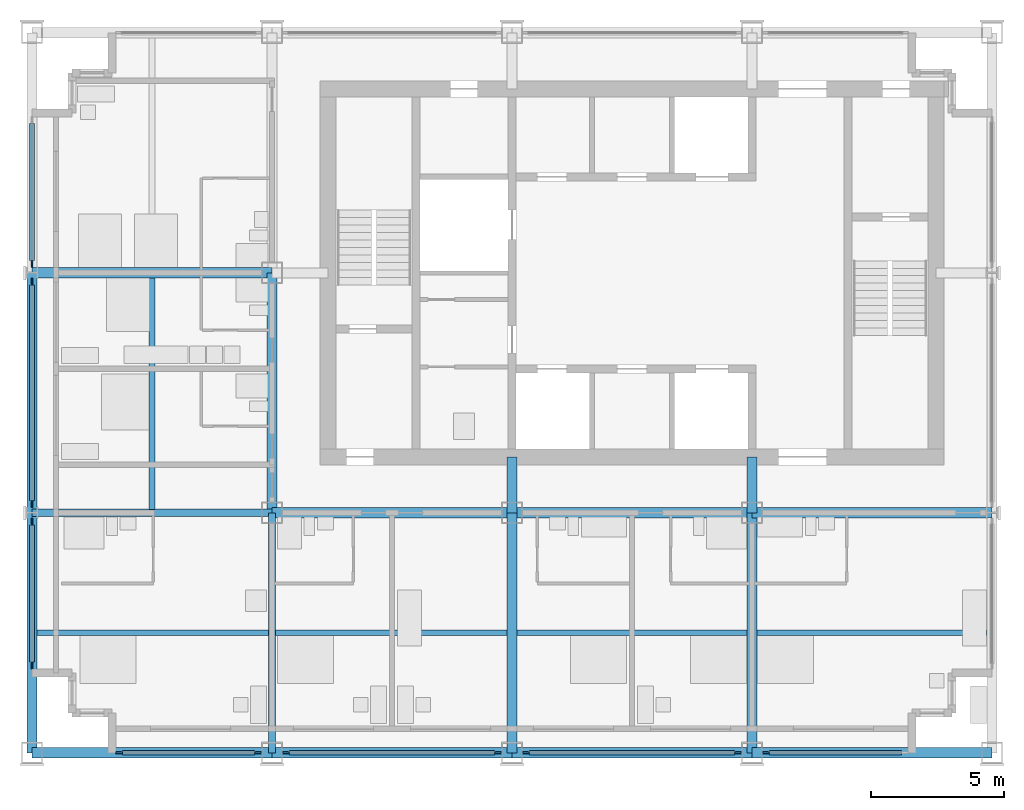
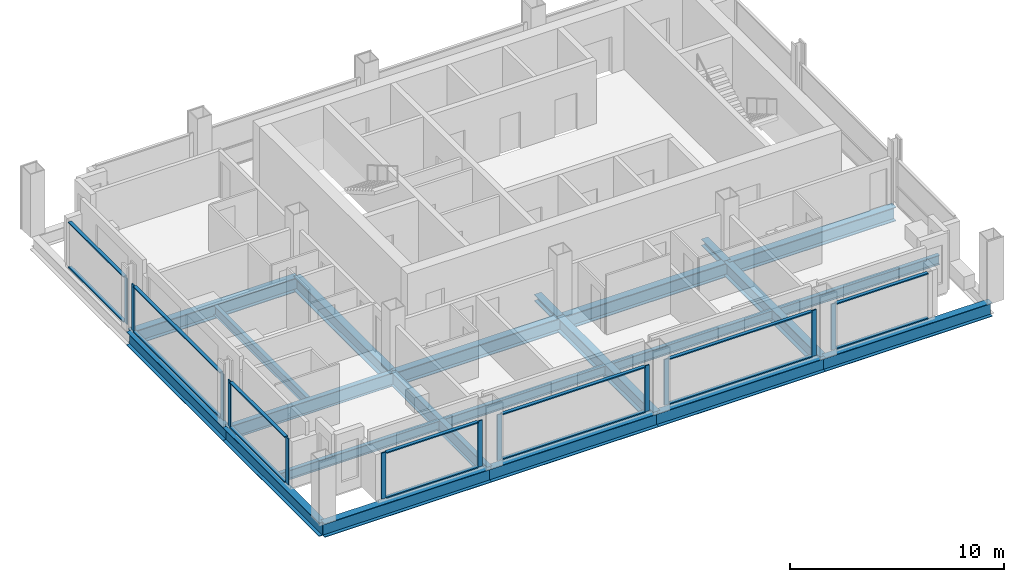
# One storey, part 2 of 12: 28 members, 20 beams, 7 elements without a shape of their own.
"""IFC4 building model written with IfcOpenShell, lengths in metres."""

import ifcopenshell
import ifcopenshell.guid

model = None  # the IFC model being written
_history = None  # IfcOwnerHistory: only IFC2X3 demands one
_inside = {}  # id of a spatial element -> (the spatial element, [elements in it])
_under = {}  # id of a project, library or spatial element -> (it, [spatial elements below it])
_declared = {}  # id of a project -> (the project, [libraries it declares])
_typed = {}  # id of a type object -> (the type object, [elements of that type])
_made_of = {}  # id of a material, layer set ... -> (it, [elements and type objects made of it])


def new_model(schema):
    """Start an empty IFC model of exactly this schema.

    Asked for "IFC4X3", IfcOpenShell would pick the latest addendum, in which some entities
    have other attributes; the version numbers below select the first issue.
    IFC2X3 requires an IfcOwnerHistory on every rooted entity: one is made here for all.
    """
    global model, _history
    if schema == "IFC4X3":
        model = ifcopenshell.file(schema_version=(4, 3, 0, 0))
    else:
        model = ifcopenshell.file(schema=schema)
    _inside.clear()
    _under.clear()
    _declared.clear()
    _typed.clear()
    _made_of.clear()
    _history = None
    if model.schema == "IFC2X3":
        org = make("IfcOrganization", Name="unknown")
        user = make(
            "IfcPersonAndOrganization",
            ThePerson=make("IfcPerson", FamilyName="unknown"),
            TheOrganization=org,
        )
        app = make(
            "IfcApplication",
            ApplicationDeveloper=org,
            Version="unknown",
            ApplicationFullName="unknown",
            ApplicationIdentifier="unknown",
        )
        _history = make(
            "IfcOwnerHistory",
            OwningUser=user,
            OwningApplication=app,
            ChangeAction="ADDED",
            CreationDate=0,
        )
    return model


def make(cls, **values):
    """One entity of the class cls with the attributes given. An attribute that is None is left unset."""
    return model.create_entity(
        cls, **{name: value for name, value in values.items() if value is not None}
    )


def rooted(cls, **values):
    """An entity with a GlobalId (a new one), such as an element, a storey or a relation."""
    return make(cls, GlobalId=ifcopenshell.guid.new(), OwnerHistory=_history, **values)


def si_unit(unit_type, name, prefix=None):
    """IfcSIUnit, for example si_unit("LENGTHUNIT", "METRE", prefix="MILLI")."""
    return make("IfcSIUnit", UnitType=unit_type, Prefix=prefix, Name=name)


def assignment(units):
    """IfcUnitAssignment: the units of a project."""
    return None if units is None else make("IfcUnitAssignment", Units=units)


def point(xyz):
    """IfcCartesianPoint."""
    return None if xyz is None else make("IfcCartesianPoint", Coordinates=xyz)


def direction(xyz):
    """IfcDirection."""
    return None if xyz is None else make("IfcDirection", DirectionRatios=xyz)


def frame(location, z_axis=None, x_axis=None):
    """IfcAxis2Placement3D, a coordinate frame: its origin and axes. An axis left out is left unset."""
    return make(
        "IfcAxis2Placement3D",
        Location=point(location),
        Axis=direction(z_axis),
        RefDirection=direction(x_axis),
    )


def frame_2d(location, x_axis=None):
    """IfcAxis2Placement2D, a coordinate frame in the plane: its origin and x axis."""
    return make(
        "IfcAxis2Placement2D", Location=point(location), RefDirection=direction(x_axis)
    )


def origin():
    """The frame at (0, 0, 0) with its axes left unset."""
    return frame((0.0, 0.0, 0.0))


def origin_2d():
    """The frame at (0, 0) in the plane with its x axis left unset."""
    return frame_2d((0.0, 0.0))


def place(relative_to, where):
    """IfcLocalPlacement: puts the frame where relative to a parent placement (None: the world)."""
    return make(
        "IfcLocalPlacement", PlacementRelTo=relative_to, RelativePlacement=where
    )


def context(
    kind, dimensions, precision=None, world=None, true_north=None, identifier=None
):
    """IfcGeometricRepresentationContext, for example the 3D "Model" context."""
    return make(
        "IfcGeometricRepresentationContext",
        ContextIdentifier=identifier,
        ContextType=kind,
        CoordinateSpaceDimension=dimensions,
        Precision=precision,
        WorldCoordinateSystem=world,
        TrueNorth=true_north,
    )


def subcontext(parent, identifier, kind, view, scale=None):
    """IfcGeometricRepresentationSubContext, for example "Body" below "Model"."""
    return make(
        "IfcGeometricRepresentationSubContext",
        ContextIdentifier=identifier,
        ContextType=kind,
        ParentContext=parent,
        TargetScale=scale,
        TargetView=view,
    )


def project(units=None, contexts=None):
    """IfcProject with its units and contexts."""
    return rooted(
        "IfcProject",
        Name="project",
        RepresentationContexts=contexts,
        UnitsInContext=assignment(units),
    )


def spatial(cls, under=None, at=None, **own):
    """A site, building, storey or space (cls), placed at a placement, below another one or the project."""
    s = rooted(cls, ObjectPlacement=at, **own)
    if under is not None:
        _under.setdefault(under.id(), (under, []))[1].append(s)
    return s


def profile(cls, at=None, kind="AREA", **sizes):
    """A parametric profile (cls). Its sizes go by their IFC names, for example OverallWidth=200.0."""
    return make(cls, ProfileType=kind, Position=at, **sizes)


def rectangle(**sizes):
    """IfcRectangleProfileDef."""
    return profile("IfcRectangleProfileDef", **sizes)


def i_section(**sizes):
    """IfcIShapeProfileDef."""
    return profile("IfcIShapeProfileDef", **sizes)


def extrude(swept, where, along, depth):
    """IfcExtrudedAreaSolid: the profile swept, set in the frame where, extruded along a direction by depth."""
    return make(
        "IfcExtrudedAreaSolid",
        SweptArea=swept,
        Position=where,
        ExtrudedDirection=direction(along),
        Depth=depth,
    )


def shape(context_of_items, identifier, shape_type, items):
    """IfcShapeRepresentation: the items that make up one representation, for example the "Body"."""
    return make(
        "IfcShapeRepresentation",
        ContextOfItems=context_of_items,
        RepresentationIdentifier=identifier,
        RepresentationType=shape_type,
        Items=items,
    )


def material(Name=None, Category=None):
    """IfcMaterial."""
    return make("IfcMaterial", Name=Name, Category=Category)


def material_profile(
    of_material, cross_section, Name=None, Category=None, Priority=None
):
    """IfcMaterialProfile: a cross section and its material."""
    return make(
        "IfcMaterialProfile",
        Name=Name,
        Material=of_material,
        Profile=cross_section,
        Priority=Priority,
        Category=Category,
    )


def profile_set(profiles, Name=None, composite=None):
    """IfcMaterialProfileSet."""
    return make(
        "IfcMaterialProfileSet",
        Name=Name,
        MaterialProfiles=profiles,
        CompositeProfile=composite,
    )


def made_of(thing, what):
    """Note that an element or type object is made of a material, layer set ...; save() writes the relation."""
    if what is not None:
        _made_of.setdefault(what.id(), (what, []))[1].append(thing)
    return thing


def type_object(cls, material=None, **own):
    """A type object (cls), such as IfcWallType, which elements share."""
    return made_of(rooted(cls, **own), material)


def element(
    cls,
    number,
    at=None,
    inside=None,
    cuts=None,
    type_object=None,
    material=None,
    context=None,
    identifier="Body",
    shape_type=None,
    held_by="IfcProductDefinitionShape",
    body=None,
    shapes=None,
    **own,
):
    """One element of the class cls, such as IfcWall. Its Tag is "e" and its number.

    at: its placement. inside: the storey or other place that contains it. cuts: it is an
    opening in that element (IfcRelVoidsElement). A single representation is given by context,
    identifier, shape_type and body (its items); several are given by shapes. held_by: the class
    of the entity that holds the representations. save() writes the other relations.
    """
    e = rooted(cls, Tag="e%d" % number, ObjectPlacement=at, **own)
    if body is not None:
        shapes = [shape(context, identifier, shape_type, body)]
    if shapes is not None:
        e.Representation = make(held_by, Representations=shapes)
    if inside is not None:
        _inside.setdefault(inside.id(), (inside, []))[1].append(e)
    if cuts is not None:
        rooted(
            "IfcRelVoidsElement", RelatingBuildingElement=cuts, RelatedOpeningElement=e
        )
    if type_object is not None:
        _typed.setdefault(type_object.id(), (type_object, []))[1].append(e)
    return made_of(e, material)


def aggregate(whole, parts):
    """IfcRelAggregates: a whole, such as a stair, and the parts it consists of."""
    return rooted("IfcRelAggregates", RelatingObject=whole, RelatedObjects=parts)


def save(model, path):
    """Write the relations noted so far, then the file.

    IfcRelAggregates (storeys below a building ...), IfcRelContainedInSpatialStructure (elements
    in a storey), IfcRelDefinesByType, IfcRelAssociatesMaterial and IfcRelDeclares: one each for
    every whole, place, type object, material and project.
    """
    for whole, parts in _under.values():
        aggregate(whole, parts)
    for where, things in _inside.values():
        rooted(
            "IfcRelContainedInSpatialStructure",
            RelatedElements=things,
            RelatingStructure=where,
        )
    for kind, things in _typed.values():
        rooted("IfcRelDefinesByType", RelatedObjects=things, RelatingType=kind)
    for what, things in _made_of.values():
        rooted("IfcRelAssociatesMaterial", RelatedObjects=things, RelatingMaterial=what)
    for by, libraries in _declared.values():
        rooted("IfcRelDeclares", RelatingContext=by, RelatedDefinitions=libraries)
    model.write(path)


model = new_model("IFC4")

# Units and contexts
model_context = context("Model", 3, precision=1e-05, world=origin(), true_north=direction((0.0, 1.0)))
body_context = subcontext(model_context, "Body", "Model", "MODEL_VIEW")
ifc_project = project(units=[si_unit("LENGTHUNIT", "METRE"), si_unit("AREAUNIT", "SQUARE_METRE"), si_unit("VOLUMEUNIT", "CUBIC_METRE"), si_unit("PLANEANGLEUNIT", "RADIAN"), si_unit("MASSUNIT", "GRAM", prefix="KILO")], contexts=[model_context])

# Site, building, storey
site_placement = place(None, origin())
site = spatial("IfcSite", under=ifc_project, at=site_placement, CompositionType="ELEMENT")
building_placement = place(site_placement, origin())
building = spatial("IfcBuilding", under=site, at=building_placement, Name="Loomwork Tower", CompositionType="ELEMENT")
storey_placement = place(building_placement, frame((0.0, 0.0, 237.39990234375)))
storey = spatial("IfcBuildingStorey", under=building, at=storey_placement, Name="L65", CompositionType="ELEMENT", Elevation=237.39990234375)

# Beams
ifc_material_1 = material(Name="Steel ASTM A992", Category="steel")
ifc_material_profile_1 = material_profile(ifc_material_1, i_section(OverallWidth=0.383544921875, OverallDepth=0.794921875, WebThickness=0.02099609375, FlangeThickness=0.0380859375, at=origin_2d()), Name="W30x235")
ifc_profile_set_1 = profile_set([ifc_material_profile_1], Name="Steel ASTM A992")
beam_type_1 = type_object("IfcBeamType", Name="CORE FLANK GIRDER W30x235", PredefinedType="BEAM", material=ifc_profile_set_1)
for number, where, z_axis, x_axis, name in (
    (1, (9.0, 9.0, -0.597412109375), (1.0, 0.0, 0.0), (0.0, 1.0, 0.0), "Core Flank Girder E/3-E/4 L65"),
    (2, (18.0, 9.0, -0.597412109375), (1.0, 0.0, 0.0), (0.0, 1.0, 0.0), "Core Flank Girder E/4-E/5 L65"),
    (3, (27.0, 9.0, -0.597412109375), (1.0, 0.0, 0.0), (0.0, 1.0, 0.0), "Core Flank Girder E/5-E/6 L65"),
    (4, (0.0, 18.0, -0.597412109375), (1.0, 0.0, 0.0), (0.0, 1.0, 0.0), "Core Flank Girder F/2-F/3 L65"),
    (5, (9.0, 9.0, -0.597412109375), (0.0, 1.0, 0.0), (-1.0, 0.0, 0.0), "Core Flank Girder E/3-F/3 L65"),
    (6, (18.0, 0.0, -0.597412109375), (0.0, 1.0, 0.0), (-1.0, 0.0, 0.0), "Core Flank Girder D/4-E/4 L65"),
    (7, (27.0, 0.0, -0.597412109375), (0.0, 1.0, 0.0), (-1.0, 0.0, 0.0), "Core Flank Girder D/5-E/5 L65"),
):
    element("IfcBeam", number, at=place(storey_placement, frame(where, z_axis=z_axis, x_axis=x_axis)), inside=storey, type_object=beam_type_1, Name=name, PredefinedType="BEAM", context=body_context, shape_type="SweptSolid", body=[
        extrude(i_section(OverallWidth=0.383544921875, OverallDepth=0.794921875, WebThickness=0.02099609375, FlangeThickness=0.0380859375, at=origin_2d()), origin(), (0.0, 0.0, 1.0), 9.0),
    ])

# Members
ifc_material_2 = material(Name="Steel ASTM A992", Category="steel")
ifc_material_profile_2 = material_profile(ifc_material_2, i_section(OverallWidth=0.373291015625, OverallDepth=0.373291015625, WebThickness=0.016357421875, FlangeThickness=0.026123046875, at=origin_2d()), Name="W14x132")
ifc_profile_set_2 = profile_set([ifc_material_profile_2], Name="Steel ASTM A992")
member_type_1 = type_object("IfcMemberType", Name="CORE LINK STRUT W14x132", PredefinedType="STRUT", material=ifc_profile_set_2)
for number, where, z_axis, x_axis, name in (
    (8, (18.0, 9.0, -0.386474609375), (0.0, 1.0, 0.0), (-1.0, 0.0, 0.0), "Core link strut E/4-18.000,11.100 L65"),
    (9, (27.0, 9.0, -0.386474609375), (0.0, 1.0, 0.0), (-1.0, 0.0, 0.0), "Core link strut E/5-27.000,11.100 L65"),
):
    element("IfcMember", number, at=place(storey_placement, frame(where, z_axis=z_axis, x_axis=x_axis)), inside=storey, type_object=member_type_1, Name=name, PredefinedType="STRUT", context=body_context, shape_type="SweptSolid", body=[
        extrude(i_section(OverallWidth=0.373291015625, OverallDepth=0.373291015625, WebThickness=0.016357421875, FlangeThickness=0.026123046875, at=origin_2d()), origin(), (0.0, 0.0, 1.0), 2.10009765625),
    ])

# Beams
ifc_material_3 = material(Name="Steel ASTM A992", Category="steel")
ifc_material_profile_3 = material_profile(ifc_material_3, i_section(OverallWidth=0.2666015625, OverallDepth=0.761962890625, WebThickness=0.014404296875, FlangeThickness=0.021484375, at=origin_2d()), Name="W30x116")
ifc_profile_set_3 = profile_set([ifc_material_profile_3], Name="Steel ASTM A992")
beam_type_2 = type_object("IfcBeamType", Name="FLOOR GIRDER W30x116", PredefinedType="BEAM", material=ifc_profile_set_3)
for number, where, z_axis, x_axis, name in (
    (10, (0.0, 9.0, -0.580810546875), (1.0, 0.0, 0.0), (0.0, 1.0, 0.0), "Floor Girder E/2-E/3 L65"),
    (11, (9.0, 0.0, -0.580810546875), (0.0, 1.0, 0.0), (-1.0, 0.0, 0.0), "Floor Girder D/3-E/3 L65"),
):
    element("IfcBeam", number, at=place(storey_placement, frame(where, z_axis=z_axis, x_axis=x_axis)), inside=storey, type_object=beam_type_2, Name=name, PredefinedType="BEAM", context=body_context, shape_type="SweptSolid", body=[
        extrude(i_section(OverallWidth=0.2666015625, OverallDepth=0.761962890625, WebThickness=0.014404296875, FlangeThickness=0.021484375, at=origin_2d()), origin(), (0.0, 0.0, 1.0), 9.0),
    ])
ifc_material_4 = material(Name="Steel ASTM A992", Category="steel")
ifc_material_profile_4 = material_profile(ifc_material_4, i_section(OverallWidth=0.2109375, OverallDepth=0.53857421875, WebThickness=0.011474609375, FlangeThickness=0.018798828125, at=origin_2d()), Name="W21x73")
ifc_profile_set_4 = profile_set([ifc_material_profile_4], Name="Steel ASTM A992")
beam_type_3 = type_object("IfcBeamType", Name="FLOOR JOIST W21x73", PredefinedType="JOIST", material=ifc_profile_set_4)
beam_1_placement = place(storey_placement, frame((0.18994140625, 4.5, -0.46923828125), z_axis=(1.0, 0.0, 0.0), x_axis=(0.0, 1.0, 0.0)))
element("IfcBeam", 12, at=beam_1_placement, inside=storey, type_object=beam_type_3, Name="Floor Joist 0.000,4.500-9.000,4.500 L65", PredefinedType="JOIST", context=body_context, shape_type="SweptSolid", body=[
    extrude(i_section(OverallWidth=0.2109375, OverallDepth=0.53857421875, WebThickness=0.011474609375, FlangeThickness=0.018798828125, at=origin_2d()), origin(), (0.0, 0.0, 1.0), 8.677001953125),
])
for number, where, z_axis, x_axis, name in (
    (13, (4.5, 9.133056640625, -0.46923828125), (0.0, 1.0, 0.0), (-1.0, 0.0, 0.0), "Floor Joist 4.500,9.000-4.500,18.000 L65"),
    (14, (9.133056640625, 4.5, -0.46923828125), (1.0, 0.0, 0.0), (0.0, 1.0, 0.0), "Floor Joist 9.000,4.500-18.000,4.500 L65"),
):
    element("IfcBeam", number, at=place(storey_placement, frame(where, z_axis=z_axis, x_axis=x_axis)), inside=storey, type_object=beam_type_3, Name=name, PredefinedType="JOIST", context=body_context, shape_type="SweptSolid", body=[
        extrude(i_section(OverallWidth=0.2109375, OverallDepth=0.53857421875, WebThickness=0.011474609375, FlangeThickness=0.018798828125, at=origin_2d()), origin(), (0.0, 0.0, 1.0), 8.676025390625),
    ])
beam_2_placement = place(storey_placement, frame((18.19091796875, 4.5, -0.46923828125), z_axis=(1.0, 0.0, 0.0), x_axis=(0.0, 1.0, 0.0)))
element("IfcBeam", 15, at=beam_2_placement, inside=storey, type_object=beam_type_3, Name="Floor Joist 18.000,4.500-27.000,4.500 L65", PredefinedType="JOIST", context=body_context, shape_type="SweptSolid", body=[
    extrude(i_section(OverallWidth=0.2109375, OverallDepth=0.53857421875, WebThickness=0.011474609375, FlangeThickness=0.018798828125, at=origin_2d()), origin(), (0.0, 0.0, 1.0), 8.6181640625),
])
beam_3_placement = place(storey_placement, frame((27.19091796875, 4.5, -0.46923828125), z_axis=(1.0, 0.0, 0.0), x_axis=(0.0, 1.0, 0.0)))
element("IfcBeam", 16, at=beam_3_placement, inside=storey, type_object=beam_type_3, Name="Floor Joist 27.000,4.500-36.000,4.500 L65", PredefinedType="JOIST", context=body_context, shape_type="SweptSolid", body=[
    extrude(i_section(OverallWidth=0.2109375, OverallDepth=0.53857421875, WebThickness=0.011474609375, FlangeThickness=0.018798828125, at=origin_2d()), origin(), (0.0, 0.0, 1.0), 8.619140625),
])

# Curtain wall, members
ifc_material_5 = material(Name="Aluminium curtain wall frame", Category="aluminium")
curtain_wall_type = type_object("IfcCurtainWallType", Name="Outer skin glazing suites", PredefinedType="NOTDEFINED", material=ifc_material_5)
curtain_wall_1_placement = place(storey_placement, origin())
curtain_wall_1 = element("IfcCurtainWall", 17, at=curtain_wall_1_placement, inside=storey, type_object=curtain_wall_type, Name="Outer skin glazing suites cw/S-0", PredefinedType="NOTDEFINED")
ifc_material_6 = material(Name="Aluminium curtain wall frame", Category="aluminium")
ifc_material_profile_5 = material_profile(ifc_material_6, rectangle(XDim=0.06494140625, YDim=0.25, at=origin_2d()), Name="AL 65x250")
ifc_profile_set_5 = profile_set([ifc_material_profile_5], Name="Aluminium curtain wall frame")
member_type_2 = type_object("IfcMemberType", Name="Outer skin glazing suites mullion", PredefinedType="MULLION", material=ifc_profile_set_5)
member_1_placement = place(storey_placement, frame((3.27490234375, 0.0, 0.0), z_axis=(0.0, 0.0, 1.0), x_axis=(0.0, 1.0, 0.0)))
member_1 = element("IfcMember", 18, at=member_1_placement, type_object=member_type_2, Name="CW2 mullion 1", PredefinedType="MULLION", context=body_context, shape_type="SweptSolid", body=[
    extrude(rectangle(XDim=0.06494140625, YDim=0.25, at=origin_2d()), origin(), (0.0, 0.0, 1.0), 2.620361328125),
])
member_2_placement = place(storey_placement, frame((8.47509765625, 0.0, 0.0), z_axis=(0.0, 0.0, 1.0), x_axis=(0.0, 1.0, 0.0)))
member_2 = element("IfcMember", 19, at=member_2_placement, type_object=member_type_2, Name="CW2 mullion 2", PredefinedType="MULLION", context=body_context, shape_type="SweptSolid", body=[
    extrude(rectangle(XDim=0.06494140625, YDim=0.25, at=origin_2d()), origin(), (0.0, 0.0, 1.0), 2.620361328125),
])

curtain_wall_2_placement = place(storey_placement, origin())
curtain_wall_2 = element("IfcCurtainWall", 20, at=curtain_wall_2_placement, inside=storey, type_object=curtain_wall_type, Name="Outer skin glazing suites cw/S-9", PredefinedType="NOTDEFINED")
member_3_placement = place(storey_placement, frame((9.52490234375, 0.0, 0.0), z_axis=(0.0, 0.0, 1.0), x_axis=(0.0, 1.0, 0.0)))
member_3 = element("IfcMember", 21, at=member_3_placement, type_object=member_type_2, Name="CW2 mullion 1", PredefinedType="MULLION", context=body_context, shape_type="SweptSolid", body=[
    extrude(rectangle(XDim=0.06494140625, YDim=0.25, at=origin_2d()), origin(), (0.0, 0.0, 1.0), 2.620361328125),
])
member_4_placement = place(storey_placement, frame((17.47509765625, 0.0, 0.0), z_axis=(0.0, 0.0, 1.0), x_axis=(0.0, 1.0, 0.0)))
member_4 = element("IfcMember", 22, at=member_4_placement, type_object=member_type_2, Name="CW2 mullion 2", PredefinedType="MULLION", context=body_context, shape_type="SweptSolid", body=[
    extrude(rectangle(XDim=0.06494140625, YDim=0.25, at=origin_2d()), origin(), (0.0, 0.0, 1.0), 2.620361328125),
])

curtain_wall_3_placement = place(storey_placement, origin())
curtain_wall_3 = element("IfcCurtainWall", 23, at=curtain_wall_3_placement, inside=storey, type_object=curtain_wall_type, Name="Outer skin glazing suites cw/S-18", PredefinedType="NOTDEFINED")
member_5_placement = place(storey_placement, frame((18.52490234375, 0.0, 0.0), z_axis=(0.0, 0.0, 1.0), x_axis=(0.0, 1.0, 0.0)))
member_5 = element("IfcMember", 24, at=member_5_placement, type_object=member_type_2, Name="CW2 mullion 1", PredefinedType="MULLION", context=body_context, shape_type="SweptSolid", body=[
    extrude(rectangle(XDim=0.06494140625, YDim=0.25, at=origin_2d()), origin(), (0.0, 0.0, 1.0), 2.620361328125),
])
member_6_placement = place(storey_placement, frame((26.47509765625, 0.0, 0.0), z_axis=(0.0, 0.0, 1.0), x_axis=(0.0, 1.0, 0.0)))
member_6 = element("IfcMember", 25, at=member_6_placement, type_object=member_type_2, Name="CW2 mullion 2", PredefinedType="MULLION", context=body_context, shape_type="SweptSolid", body=[
    extrude(rectangle(XDim=0.06494140625, YDim=0.25, at=origin_2d()), origin(), (0.0, 0.0, 1.0), 2.620361328125),
])

# Curtain wall, member
curtain_wall_4_placement = place(storey_placement, origin())
curtain_wall_4 = element("IfcCurtainWall", 26, at=curtain_wall_4_placement, inside=storey, type_object=curtain_wall_type, Name="Outer skin glazing suites cw/S-27", PredefinedType="NOTDEFINED")
member_7_placement = place(storey_placement, frame((27.52490234375, 0.0, 0.0), z_axis=(0.0, 0.0, 1.0), x_axis=(0.0, 1.0, 0.0)))
member_7 = element("IfcMember", 27, at=member_7_placement, type_object=member_type_2, Name="CW2 mullion 1", PredefinedType="MULLION", context=body_context, shape_type="SweptSolid", body=[
    extrude(rectangle(XDim=0.06494140625, YDim=0.25, at=origin_2d()), origin(), (0.0, 0.0, 1.0), 2.620361328125),
])

# Curtain wall, members
curtain_wall_5_placement = place(storey_placement, origin())
curtain_wall_5 = element("IfcCurtainWall", 28, at=curtain_wall_5_placement, inside=storey, type_object=curtain_wall_type, Name="Outer skin glazing suites cw/W-0", PredefinedType="NOTDEFINED")
member_8_placement = place(storey_placement, frame((0.0, 8.664306640625, 0.0), z_axis=(0.0, 0.0, 1.0), x_axis=(1.0, 0.0, 0.0)))
member_8 = element("IfcMember", 29, at=member_8_placement, type_object=member_type_2, Name="CW2 mullion 1", PredefinedType="MULLION", context=body_context, shape_type="SweptSolid", body=[
    extrude(rectangle(XDim=0.06494140625, YDim=0.25, at=origin_2d()), origin(), (0.0, 0.0, 1.0), 2.620361328125),
])
member_9_placement = place(storey_placement, frame((0.0, 3.27490234375, 0.0), z_axis=(0.0, 0.0, 1.0), x_axis=(1.0, 0.0, 0.0)))
member_9 = element("IfcMember", 30, at=member_9_placement, type_object=member_type_2, Name="CW2 mullion 2", PredefinedType="MULLION", context=body_context, shape_type="SweptSolid", body=[
    extrude(rectangle(XDim=0.06494140625, YDim=0.25, at=origin_2d()), origin(), (0.0, 0.0, 1.0), 2.620361328125),
])

curtain_wall_6_placement = place(storey_placement, origin())
curtain_wall_6 = element("IfcCurtainWall", 31, at=curtain_wall_6_placement, inside=storey, type_object=curtain_wall_type, Name="Outer skin glazing suites cw/W-9", PredefinedType="NOTDEFINED")
member_10_placement = place(storey_placement, frame((0.0, 17.664306640625, 0.0), z_axis=(0.0, 0.0, 1.0), x_axis=(1.0, 0.0, 0.0)))
member_10 = element("IfcMember", 32, at=member_10_placement, type_object=member_type_2, Name="CW2 mullion 1", PredefinedType="MULLION", context=body_context, shape_type="SweptSolid", body=[
    extrude(rectangle(XDim=0.06494140625, YDim=0.25, at=origin_2d()), origin(), (0.0, 0.0, 1.0), 2.620361328125),
])
member_11_placement = place(storey_placement, frame((0.0, 9.335693359375, 0.0), z_axis=(0.0, 0.0, 1.0), x_axis=(1.0, 0.0, 0.0)))
member_11 = element("IfcMember", 33, at=member_11_placement, type_object=member_type_2, Name="CW2 mullion 2", PredefinedType="MULLION", context=body_context, shape_type="SweptSolid", body=[
    extrude(rectangle(XDim=0.06494140625, YDim=0.25, at=origin_2d()), origin(), (0.0, 0.0, 1.0), 2.620361328125),
])

# Curtain wall, member
curtain_wall_7_placement = place(storey_placement, origin())
curtain_wall_7 = element("IfcCurtainWall", 34, at=curtain_wall_7_placement, inside=storey, type_object=curtain_wall_type, Name="Outer skin glazing suites cw/W-18", PredefinedType="NOTDEFINED")
member_12_placement = place(storey_placement, frame((0.0, 18.335693359375, 0.0), z_axis=(0.0, 0.0, 1.0), x_axis=(1.0, 0.0, 0.0)))
member_12 = element("IfcMember", 35, at=member_12_placement, type_object=member_type_2, Name="CW2 mullion 2", PredefinedType="MULLION", context=body_context, shape_type="SweptSolid", body=[
    extrude(rectangle(XDim=0.06494140625, YDim=0.25, at=origin_2d()), origin(), (0.0, 0.0, 1.0), 2.620361328125),
])

# Member
ifc_material_7 = material(Name="Aluminium curtain wall frame", Category="aluminium")
ifc_material_profile_6 = material_profile(ifc_material_7, rectangle(XDim=0.179931640625, YDim=0.06494140625, at=origin_2d()), Name="AL 65x180")
ifc_profile_set_6 = profile_set([ifc_material_profile_6], Name="Aluminium curtain wall frame")
member_type_3 = type_object("IfcMemberType", Name="Outer skin glazing suites transom", PredefinedType="USERDEFINED", material=ifc_profile_set_6)
member_13_placement = place(storey_placement, frame((3.39990234375, 0.0, 0.03271484375), z_axis=(1.0, 0.0, 0.0), x_axis=(0.0, 1.0, 0.0)))
member_13 = element("IfcMember", 36, at=member_13_placement, type_object=member_type_3, Name="CW2 transom 1.1", ObjectType="TRANSOM", PredefinedType="USERDEFINED", context=body_context, shape_type="SweptSolid", body=[
    extrude(rectangle(XDim=0.179931640625, YDim=0.06494140625, at=origin_2d()), origin(), (0.0, 0.0, 1.0), 4.9501953125),
])

member_14_placement = place(storey_placement, frame((3.39990234375, 0.0, 2.587890625), z_axis=(1.0, 0.0, 0.0), x_axis=(0.0, 1.0, 0.0)))
member_14 = element("IfcMember", 37, at=member_14_placement, type_object=member_type_3, Name="CW2 transom 1.2", ObjectType="TRANSOM", PredefinedType="USERDEFINED", context=body_context, shape_type="SweptSolid", body=[
    extrude(rectangle(XDim=0.179931640625, YDim=0.06494140625, at=origin_2d()), origin(), (0.0, 0.0, 1.0), 4.9501953125),
])

aggregate(curtain_wall_1, [member_1, member_2, member_13, member_14])

member_15_placement = place(storey_placement, frame((9.64990234375, 0.0, 0.03271484375), z_axis=(1.0, 0.0, 0.0), x_axis=(0.0, 1.0, 0.0)))
member_15 = element("IfcMember", 38, at=member_15_placement, type_object=member_type_3, Name="CW2 transom 1.1", ObjectType="TRANSOM", PredefinedType="USERDEFINED", context=body_context, shape_type="SweptSolid", body=[
    extrude(rectangle(XDim=0.179931640625, YDim=0.06494140625, at=origin_2d()), origin(), (0.0, 0.0, 1.0), 7.7001953125),
])

member_16_placement = place(storey_placement, frame((9.64990234375, 0.0, 2.587890625), z_axis=(1.0, 0.0, 0.0), x_axis=(0.0, 1.0, 0.0)))
member_16 = element("IfcMember", 39, at=member_16_placement, type_object=member_type_3, Name="CW2 transom 1.2", ObjectType="TRANSOM", PredefinedType="USERDEFINED", context=body_context, shape_type="SweptSolid", body=[
    extrude(rectangle(XDim=0.179931640625, YDim=0.06494140625, at=origin_2d()), origin(), (0.0, 0.0, 1.0), 7.7001953125),
])

aggregate(curtain_wall_2, [member_3, member_4, member_15, member_16])

member_17_placement = place(storey_placement, frame((18.64990234375, 0.0, 0.03271484375), z_axis=(1.0, 0.0, 0.0), x_axis=(0.0, 1.0, 0.0)))
member_17 = element("IfcMember", 40, at=member_17_placement, type_object=member_type_3, Name="CW2 transom 1.1", ObjectType="TRANSOM", PredefinedType="USERDEFINED", context=body_context, shape_type="SweptSolid", body=[
    extrude(rectangle(XDim=0.179931640625, YDim=0.06494140625, at=origin_2d()), origin(), (0.0, 0.0, 1.0), 7.7001953125),
])

member_18_placement = place(storey_placement, frame((18.64990234375, 0.0, 2.587890625), z_axis=(1.0, 0.0, 0.0), x_axis=(0.0, 1.0, 0.0)))
member_18 = element("IfcMember", 41, at=member_18_placement, type_object=member_type_3, Name="CW2 transom 1.2", ObjectType="TRANSOM", PredefinedType="USERDEFINED", context=body_context, shape_type="SweptSolid", body=[
    extrude(rectangle(XDim=0.179931640625, YDim=0.06494140625, at=origin_2d()), origin(), (0.0, 0.0, 1.0), 7.7001953125),
])

aggregate(curtain_wall_3, [member_5, member_6, member_17, member_18])

member_19_placement = place(storey_placement, frame((27.64990234375, 0.0, 0.03271484375), z_axis=(1.0, 0.0, 0.0), x_axis=(0.0, 1.0, 0.0)))
member_19 = element("IfcMember", 42, at=member_19_placement, type_object=member_type_3, Name="CW2 transom 1.1", ObjectType="TRANSOM", PredefinedType="USERDEFINED", context=body_context, shape_type="SweptSolid", body=[
    extrude(rectangle(XDim=0.179931640625, YDim=0.06494140625, at=origin_2d()), origin(), (0.0, 0.0, 1.0), 4.9501953125),
])

member_20_placement = place(storey_placement, frame((27.64990234375, 0.0, 2.587890625), z_axis=(1.0, 0.0, 0.0), x_axis=(0.0, 1.0, 0.0)))
member_20 = element("IfcMember", 43, at=member_20_placement, type_object=member_type_3, Name="CW2 transom 1.2", ObjectType="TRANSOM", PredefinedType="USERDEFINED", context=body_context, shape_type="SweptSolid", body=[
    extrude(rectangle(XDim=0.179931640625, YDim=0.06494140625, at=origin_2d()), origin(), (0.0, 0.0, 1.0), 4.9501953125),
])

aggregate(curtain_wall_4, [member_7, member_19, member_20])

member_21_placement = place(storey_placement, frame((0.0, 8.539306640625, 0.03271484375), z_axis=(0.0, -1.0, 0.0), x_axis=(1.0, 0.0, 0.0)))
member_21 = element("IfcMember", 44, at=member_21_placement, type_object=member_type_3, Name="CW2 transom 1.1", ObjectType="TRANSOM", PredefinedType="USERDEFINED", context=body_context, shape_type="SweptSolid", body=[
    extrude(rectangle(XDim=0.179931640625, YDim=0.06494140625, at=origin_2d()), origin(), (0.0, 0.0, 1.0), 5.139404296875),
])

member_22_placement = place(storey_placement, frame((0.0, 8.539306640625, 2.587890625), z_axis=(0.0, -1.0, 0.0), x_axis=(1.0, 0.0, 0.0)))
member_22 = element("IfcMember", 45, at=member_22_placement, type_object=member_type_3, Name="CW2 transom 1.2", ObjectType="TRANSOM", PredefinedType="USERDEFINED", context=body_context, shape_type="SweptSolid", body=[
    extrude(rectangle(XDim=0.179931640625, YDim=0.06494140625, at=origin_2d()), origin(), (0.0, 0.0, 1.0), 5.139404296875),
])

aggregate(curtain_wall_5, [member_8, member_9, member_21, member_22])

member_23_placement = place(storey_placement, frame((0.0, 17.539306640625, 0.03271484375), z_axis=(0.0, -1.0, 0.0), x_axis=(1.0, 0.0, 0.0)))
member_23 = element("IfcMember", 46, at=member_23_placement, type_object=member_type_3, Name="CW2 transom 1.1", ObjectType="TRANSOM", PredefinedType="USERDEFINED", context=body_context, shape_type="SweptSolid", body=[
    extrude(rectangle(XDim=0.179931640625, YDim=0.06494140625, at=origin_2d()), origin(), (0.0, 0.0, 1.0), 8.07861328125),
])

member_24_placement = place(storey_placement, frame((0.0, 17.539306640625, 2.587890625), z_axis=(0.0, -1.0, 0.0), x_axis=(1.0, 0.0, 0.0)))
member_24 = element("IfcMember", 47, at=member_24_placement, type_object=member_type_3, Name="CW2 transom 1.2", ObjectType="TRANSOM", PredefinedType="USERDEFINED", context=body_context, shape_type="SweptSolid", body=[
    extrude(rectangle(XDim=0.179931640625, YDim=0.06494140625, at=origin_2d()), origin(), (0.0, 0.0, 1.0), 8.07861328125),
])

aggregate(curtain_wall_6, [member_10, member_11, member_23, member_24])

member_25_placement = place(storey_placement, frame((0.0, 23.60009765625, 0.03271484375), z_axis=(0.0, -1.0, 0.0), x_axis=(1.0, 0.0, 0.0)))
member_25 = element("IfcMember", 48, at=member_25_placement, type_object=member_type_3, Name="CW2 transom 1.1", ObjectType="TRANSOM", PredefinedType="USERDEFINED", context=body_context, shape_type="SweptSolid", body=[
    extrude(rectangle(XDim=0.179931640625, YDim=0.06494140625, at=origin_2d()), origin(), (0.0, 0.0, 1.0), 5.139404296875),
])

member_26_placement = place(storey_placement, frame((0.0, 23.60009765625, 2.587890625), z_axis=(0.0, -1.0, 0.0), x_axis=(1.0, 0.0, 0.0)))
member_26 = element("IfcMember", 49, at=member_26_placement, type_object=member_type_3, Name="CW2 transom 1.2", ObjectType="TRANSOM", PredefinedType="USERDEFINED", context=body_context, shape_type="SweptSolid", body=[
    extrude(rectangle(XDim=0.179931640625, YDim=0.06494140625, at=origin_2d()), origin(), (0.0, 0.0, 1.0), 5.139404296875),
])

aggregate(curtain_wall_7, [member_12, member_25, member_26])

# Beams
ifc_material_8 = material(Name="Steel ASTM A992", Category="steel")
ifc_material_profile_7 = material_profile(ifc_material_8, i_section(OverallWidth=0.381103515625, OverallDepth=0.77978515625, WebThickness=0.01806640625, FlangeThickness=0.0302734375, at=origin_2d()), Name="W30x191")
ifc_profile_set_7 = profile_set([ifc_material_profile_7], Name="Steel ASTM A992")
beam_type_4 = type_object("IfcBeamType", Name="SPANDREL GIRDER W30x191", PredefinedType="SPANDREL", material=ifc_profile_set_7)
for number, where, z_axis, x_axis, name in (
    (50, (0.0, 0.0, -0.58984375), (1.0, 0.0, 0.0), (0.0, 1.0, 0.0), "Spandrel Girder D/2-D/3 L65"),
    (51, (9.0, 0.0, -0.58984375), (1.0, 0.0, 0.0), (0.0, 1.0, 0.0), "Spandrel Girder D/3-D/4 L65"),
    (52, (18.0, 0.0, -0.58984375), (1.0, 0.0, 0.0), (0.0, 1.0, 0.0), "Spandrel Girder D/4-D/5 L65"),
    (53, (27.0, 0.0, -0.58984375), (1.0, 0.0, 0.0), (0.0, 1.0, 0.0), "Spandrel Girder D/5-D/6 L65"),
    (54, (0.0, 0.0, -0.58984375), (0.0, 1.0, 0.0), (-1.0, 0.0, 0.0), "Spandrel Girder D/2-E/2 L65"),
    (55, (0.0, 9.0, -0.58984375), (0.0, 1.0, 0.0), (-1.0, 0.0, 0.0), "Spandrel Girder E/2-F/2 L65"),
):
    element("IfcBeam", number, at=place(storey_placement, frame(where, z_axis=z_axis, x_axis=x_axis)), inside=storey, type_object=beam_type_4, Name=name, PredefinedType="SPANDREL", context=body_context, shape_type="SweptSolid", body=[
        extrude(i_section(OverallWidth=0.381103515625, OverallDepth=0.77978515625, WebThickness=0.01806640625, FlangeThickness=0.0302734375, at=origin_2d()), origin(), (0.0, 0.0, 1.0), 9.0),
    ])

save(model, "model.ifc")
